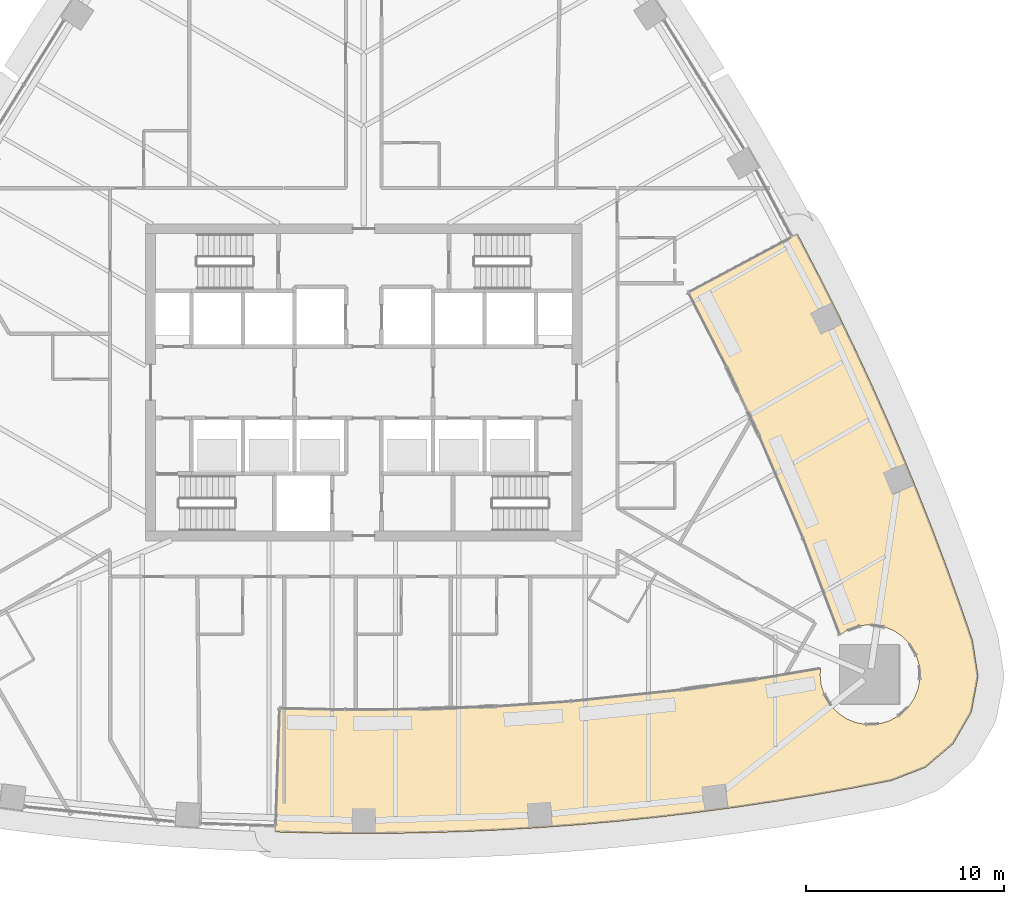
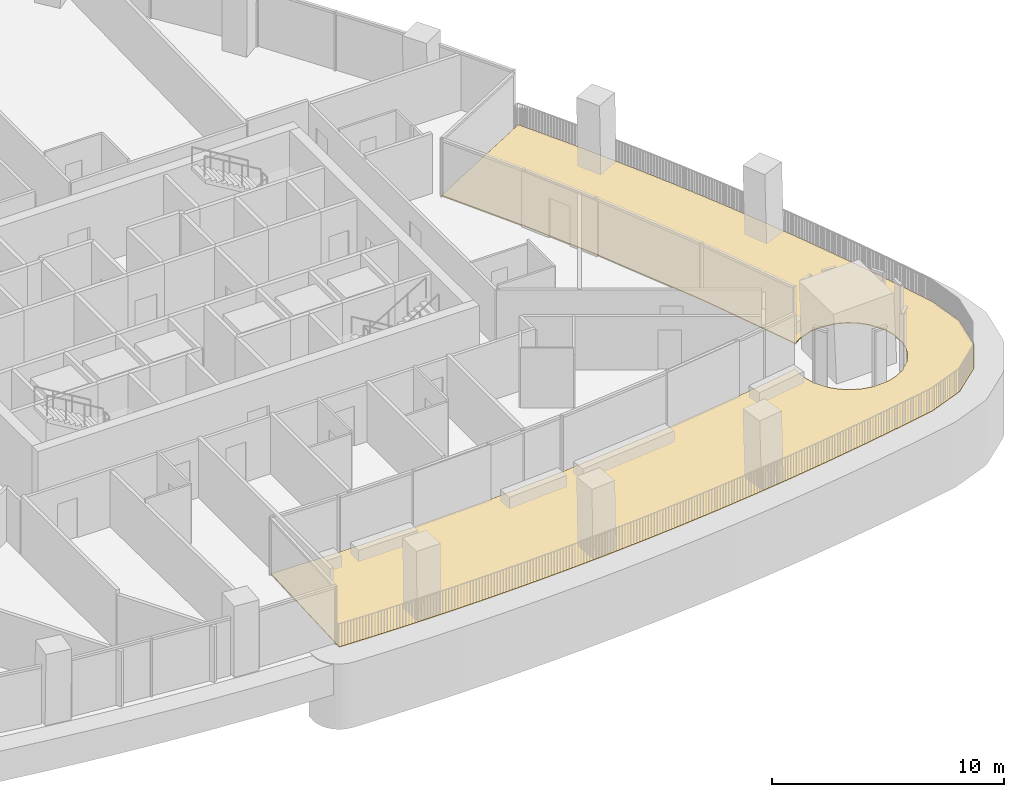
# One storey, part 19 of 22: 1 covering.
"""IFC4 building model written with IfcOpenShell, lengths in metres."""

from ifc_helpers import new_model, si_unit, direction, frame, origin, place, context, subcontext, project, spatial, polyline, outline, extrude, material, layer, layer_set, type_object, element, save


model = new_model("IFC4")

# Units and contexts
model_context = context("Model", 3, precision=1e-05, world=origin(), true_north=direction((0.0, 1.0)))
body_context = subcontext(model_context, "Body", "Model", "MODEL_VIEW")
ifc_project = project(units=[si_unit("LENGTHUNIT", "METRE"), si_unit("AREAUNIT", "SQUARE_METRE"), si_unit("VOLUMEUNIT", "CUBIC_METRE"), si_unit("PLANEANGLEUNIT", "RADIAN"), si_unit("MASSUNIT", "GRAM", prefix="KILO")], contexts=[model_context])

# Site, building, storey
site_placement = place(None, origin())
site = spatial("IfcSite", under=ifc_project, at=site_placement, CompositionType="ELEMENT")
building_placement = place(site_placement, origin())
building = spatial("IfcBuilding", under=site, at=building_placement, Name="Sierra Prisma Convention Tower", CompositionType="ELEMENT")
storey_placement = place(building_placement, frame((0.0, 0.0, 103.5)))
storey = spatial("IfcBuildingStorey", under=building, at=storey_placement, Name="L22", CompositionType="ELEMENT", Elevation=103.5)

# Covering
ifc_material = material(Name="Porcelain stoneware paving", Category="masonry")
ifc_layer = layer(ifc_material, 0.0400390625)
ifc_layer_set = layer_set([ifc_layer], Name="Terrace paving")
covering_type = type_object("IfcCoveringType", Name="Terrace paving", PredefinedType="FLOORING", material=ifc_layer_set)
covering_placement = place(storey_placement, origin())
element("IfcCovering", 1, at=covering_placement, inside=storey, type_object=covering_type, Name="Terrace paving L22", PredefinedType="FLOORING", context=body_context, shape_type="SweptSolid", body=[
    extrude(outline(polyline([(-4.45947265625, -22.691650390625), (-2.978515625, -22.735595703125), (-0.992919921875, -22.764892578125), (0.992919921875, -22.764892578125), (2.978515625, -22.735595703125), (4.96337890625, -22.6767578125), (6.947265625, -22.58837890625), (8.929443359375, -22.470947265625), (10.909912109375, -22.323974609375), (12.887939453125, -22.147705078125), (14.863037109375, -21.9423828125), (16.8349609375, -21.70751953125), (18.802978515625, -21.44384765625), (20.76708984375, -21.150634765625), (22.7265625, -20.82861328125), (24.68115234375, -20.477783203125), (26.630126953125, -20.09765625), (28.3466796875, -19.43310546875), (29.74462890625, -18.23583984375), (30.6650390625, -16.641845703125), (31.0029296875, -14.83251953125), (30.72021484375, -13.013671875), (30.07470703125, -11.1357421875), (29.401611328125, -9.267578125), (28.70068359375, -7.409423828125), (27.972412109375, -5.56201171875), (27.216796875, -3.7255859375), (26.43408203125, -1.900634765625), (25.62451171875, -0.08740234375), (24.7880859375, 1.7138671875), (23.925048828125, 3.502197265625), (23.035888671875, 5.27783203125), (22.120361328125, 7.039794921875), (21.88134765625, 7.483642578125), (16.364990234375, 4.5380859375), (18.316162109375, 0.74462890625), (19.9365234375, -2.677734375), (22.1748046875, -7.897216796875), (24.013427734375, -12.7509765625), (24.35791015625, -12.525634765625), (25.0546875, -12.2763671875), (25.546630859375, -12.22802734375), (26.2783203125, -12.33642578125), (26.735107421875, -12.525634765625), (27.14599609375, -12.80029296875), (27.49560546875, -13.149658203125), (27.8759765625, -13.784423828125), (28.019287109375, -14.25732421875), (28.0556640625, -14.996337890625), (27.959228515625, -15.481201171875), (27.77001953125, -15.937744140625), (27.49560546875, -16.348876953125), (26.947265625, -16.845703125), (26.511474609375, -17.07861328125), (26.038330078125, -17.22216796875), (25.29931640625, -17.258544921875), (24.814697265625, -17.162109375), (24.35791015625, -16.972900390625), (23.947021484375, -16.6982421875), (23.597412109375, -16.348876953125), (23.217041015625, -15.714111328125), (23.07373046875, -15.2412109375), (23.025146484375, -14.749267578125), (23.04931640625, -14.420654296875), (19.799072265625, -14.97607421875), (16.05029296875, -15.5068359375), (10.4013671875, -16.094482421875), (6.62353515625, -16.3466796875), (2.839599609375, -16.48681640625), (-0.946533203125, -16.514892578125), (-4.25244140625, -16.44140625), (-4.45947265625, -22.691650390625)])), origin(), (0.0, 0.0, 1.0), 0.0400390625),
])

save(model, "model.ifc")
